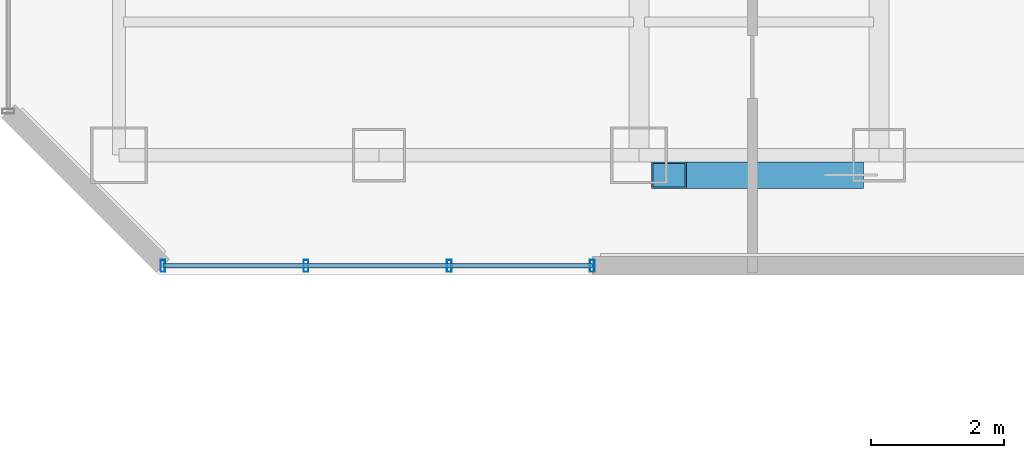
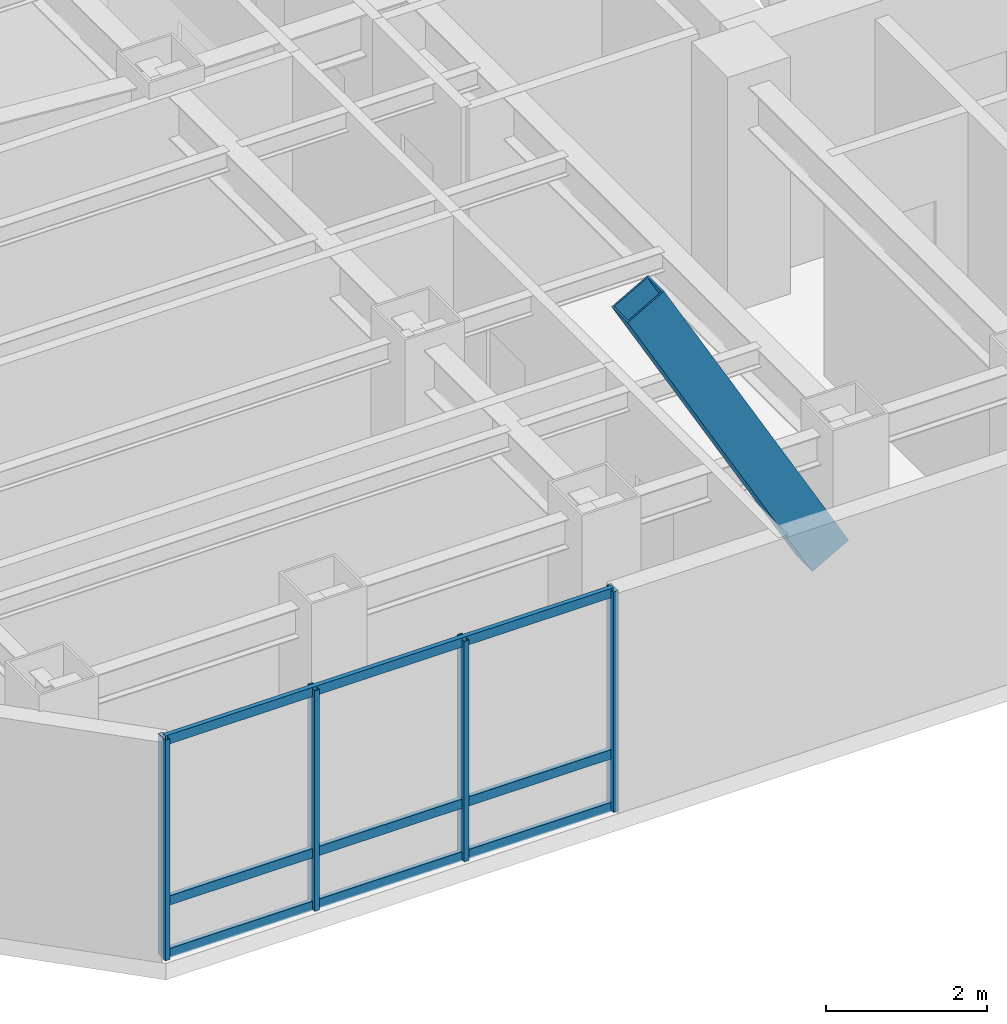
# One storey, part 2 of 29: 8 members, 1 element without a shape of its own.
"""IFC4 building model written with IfcOpenShell, lengths in metres."""

from ifc_helpers import new_model, si_unit, direction, frame, origin, origin_2d, place, context, subcontext, project, spatial, hollow_rectangle, extrude, material, layer, layer_set, material_profile, profile_set, type_object, element, aggregate, save


model = new_model("IFC4")

# Units and contexts
model_context = context("Model", 3, precision=1e-05, world=origin(), true_north=direction((0.0, 1.0)))
body_context = subcontext(model_context, "Body", "Model", "MODEL_VIEW")
ifc_project = project(units=[si_unit("LENGTHUNIT", "METRE"), si_unit("AREAUNIT", "SQUARE_METRE"), si_unit("VOLUMEUNIT", "CUBIC_METRE"), si_unit("PLANEANGLEUNIT", "RADIAN"), si_unit("MASSUNIT", "GRAM", prefix="KILO")], contexts=[model_context])

# Site, building, storey
site_placement = place(None, origin())
site = spatial("IfcSite", under=ifc_project, at=site_placement, CompositionType="ELEMENT")
building_placement = place(site_placement, origin())
building = spatial("IfcBuilding", under=site, at=building_placement, Name="Hatsunagi Terrace Concourse", CompositionType="ELEMENT")
storey_placement = place(building_placement, frame((0.0, 0.0, 149.25)))
storey = spatial("IfcBuildingStorey", under=building, at=storey_placement, Name="L39", CompositionType="ELEMENT", Elevation=149.25)

# Curtain wall, members
ifc_material_1 = material(Name="Anodised Aluminium Alloy 6063-T5", Category="aluminium")
ifc_layer = layer(ifc_material_1, 0.199951171875)
ifc_layer_set = layer_set([ifc_layer], Name="OfficeZone1_CW03")
curtain_wall_type = type_object("IfcCurtainWallType", Name="OfficeZone1_CW03", PredefinedType="NOTDEFINED", material=ifc_layer_set)
curtain_wall_placement = place(storey_placement, origin())
curtain_wall = element("IfcCurtainWall", 1, at=curtain_wall_placement, inside=storey, type_object=curtain_wall_type, Name="Unitised Curtain Wall CW-03 CW-L39-07", PredefinedType="NOTDEFINED")
ifc_material_2 = material(Name="Anodised Aluminium Alloy 6063-T5", Category="aluminium")
ifc_material_profile_1 = material_profile(ifc_material_2, hollow_rectangle(XDim=0.070068359375, YDim=0.179931640625, WallThickness=0.00390625, at=origin_2d()), Name="ALU-MUL-180x70x4")
ifc_profile_set_1 = profile_set([ifc_material_profile_1], Name="Anodised Aluminium Alloy 6063-T5")
member_type_1 = type_object("IfcMemberType", Name="CurtainWallMullion_180x70", PredefinedType="MULLION", material=ifc_profile_set_1)
member_1_placement = place(storey_placement, frame((18.5, 23.5400390625, 0.0), z_axis=(0.0, 0.0, 1.0), x_axis=(-1.0, 0.0, 0.0)))
member_1 = element("IfcMember", 2, at=member_1_placement, type_object=member_type_1, Name="Curtain Wall Mullion MUL-02", PredefinedType="MULLION", context=body_context, shape_type="SweptSolid", body=[
    extrude(hollow_rectangle(XDim=0.070068359375, YDim=0.179931640625, WallThickness=0.00390625, at=origin_2d()), origin(), (0.0, 0.0, 1.0), 3.35009765625),
])
member_2_placement = place(storey_placement, frame((16.35302734375, 23.5400390625, 0.0), z_axis=(0.0, 0.0, 1.0), x_axis=(-1.0, 0.0, 0.0)))
member_2 = element("IfcMember", 3, at=member_2_placement, type_object=member_type_1, Name="Curtain Wall Mullion MUL-02", PredefinedType="MULLION", context=body_context, shape_type="SweptSolid", body=[
    extrude(hollow_rectangle(XDim=0.070068359375, YDim=0.179931640625, WallThickness=0.00390625, at=origin_2d()), origin(), (0.0, 0.0, 1.0), 3.35009765625),
])
member_3_placement = place(storey_placement, frame((14.205078125, 23.5400390625, 0.0), z_axis=(0.0, 0.0, 1.0), x_axis=(-1.0, 0.0, 0.0)))
member_3 = element("IfcMember", 4, at=member_3_placement, type_object=member_type_1, Name="Curtain Wall Mullion MUL-02", PredefinedType="MULLION", context=body_context, shape_type="SweptSolid", body=[
    extrude(hollow_rectangle(XDim=0.070068359375, YDim=0.179931640625, WallThickness=0.00390625, at=origin_2d()), origin(), (0.0, 0.0, 1.0), 3.35009765625),
])
member_4_placement = place(storey_placement, frame((12.05810546875, 23.5400390625, 0.0), z_axis=(0.0, 0.0, 1.0), x_axis=(-1.0, 0.0, 0.0)))
member_4 = element("IfcMember", 5, at=member_4_placement, type_object=member_type_1, Name="Curtain Wall Mullion MUL-02", PredefinedType="MULLION", context=body_context, shape_type="SweptSolid", body=[
    extrude(hollow_rectangle(XDim=0.070068359375, YDim=0.179931640625, WallThickness=0.00390625, at=origin_2d()), origin(), (0.0, 0.0, 1.0), 3.35009765625),
])
ifc_material_3 = material(Name="Anodised Aluminium Alloy 6063-T5", Category="aluminium")
ifc_material_profile_2 = material_profile(ifc_material_3, hollow_rectangle(XDim=0.06494140625, YDim=0.139892578125, WallThickness=0.00390625, at=origin_2d()), Name="ALU-TRN-140x65x4")
ifc_profile_set_2 = profile_set([ifc_material_profile_2], Name="Anodised Aluminium Alloy 6063-T5")
member_type_2 = type_object("IfcMemberType", Name="CurtainWallTransom_140x65", PredefinedType="USERDEFINED", material=ifc_profile_set_2)
member_5_placement = place(storey_placement, frame((18.5, 23.5400390625, 0.050048828125), z_axis=(-1.0, 0.0, 0.0), x_axis=(0.0, -1.0, 0.0)))
member_5 = element("IfcMember", 6, at=member_5_placement, type_object=member_type_2, Name="Curtain Wall Transom TRN-02", ObjectType="TRANSOM", PredefinedType="USERDEFINED", context=body_context, shape_type="SweptSolid", body=[
    extrude(hollow_rectangle(XDim=0.06494140625, YDim=0.139892578125, WallThickness=0.00390625, at=origin_2d()), origin(), (0.0, 0.0, 1.0), 6.44189453125),
])
member_6_placement = place(storey_placement, frame((18.5, 23.5400390625, 0.85009765625), z_axis=(-1.0, 0.0, 0.0), x_axis=(0.0, -1.0, 0.0)))
member_6 = element("IfcMember", 7, at=member_6_placement, type_object=member_type_2, Name="Curtain Wall Transom TRN-02", ObjectType="TRANSOM", PredefinedType="USERDEFINED", context=body_context, shape_type="SweptSolid", body=[
    extrude(hollow_rectangle(XDim=0.06494140625, YDim=0.139892578125, WallThickness=0.00390625, at=origin_2d()), origin(), (0.0, 0.0, 1.0), 6.44189453125),
])
member_7_placement = place(storey_placement, frame((18.5, 23.5400390625, 3.300048828125), z_axis=(-1.0, 0.0, 0.0), x_axis=(0.0, -1.0, 0.0)))
member_7 = element("IfcMember", 8, at=member_7_placement, type_object=member_type_2, Name="Curtain Wall Transom TRN-02", ObjectType="TRANSOM", PredefinedType="USERDEFINED", context=body_context, shape_type="SweptSolid", body=[
    extrude(hollow_rectangle(XDim=0.06494140625, YDim=0.139892578125, WallThickness=0.00390625, at=origin_2d()), origin(), (0.0, 0.0, 1.0), 6.44189453125),
])
aggregate(curtain_wall, [member_1, member_2, member_3, member_4, member_5, member_6, member_7])

# Member
ifc_material_4 = material(Name="Steel SN490B", Category="steel")
ifc_material_profile_3 = material_profile(ifc_material_4, hollow_rectangle(XDim=0.39990234375, YDim=0.60009765625, WallThickness=0.02490234375, at=origin_2d()), Name="RHS-600x400x25")
ifc_profile_set_3 = profile_set([ifc_material_profile_3], Name="Steel SN490B")
member_type_3 = type_object("IfcMemberType", Name="PerimeterXBrace_Mid_RHS_600x400x25", PredefinedType="BRACE", material=ifc_profile_set_3)
member_8_placement = place(storey_placement, frame((19.64990234375, 24.89990234375, 6.510009765625), z_axis=(0.490963868484, 0.0, -0.8711799354), x_axis=(0.0, 1.0, 0.0)))
element("IfcMember", 9, at=member_8_placement, inside=storey, type_object=member_type_3, Name="Perimeter X-Brace Split Upper XB-02 XB-L38-W1B1", PredefinedType="BRACE", context=body_context, shape_type="SweptSolid", body=[
    extrude(hollow_rectangle(XDim=0.39990234375, YDim=0.60009765625, WallThickness=0.02490234375, at=origin_2d()), origin(), (0.0, 0.0, 1.0), 5.40966796875),
])

save(model, "model.ifc")
